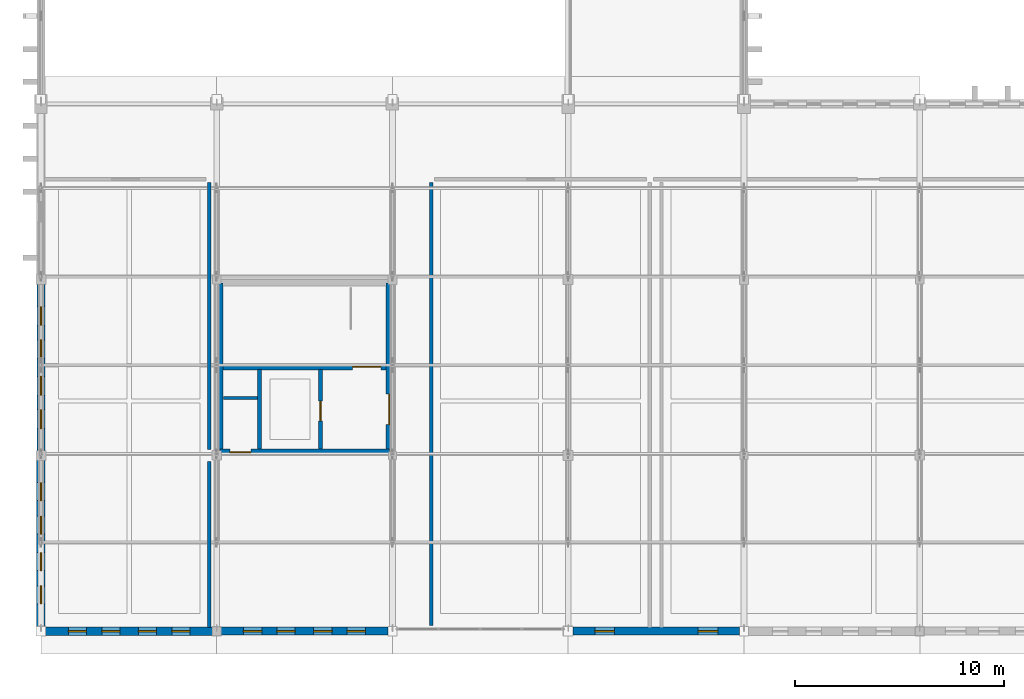
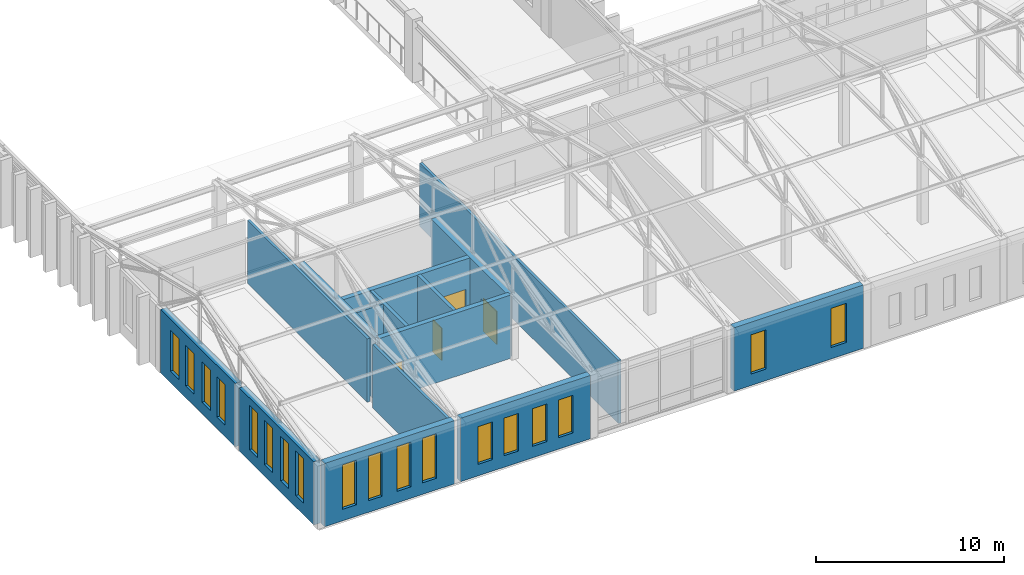
# One storey, part 156 of 192: 18 windows, 15 walls, 4 doors, 22 openings.
"""IFC4 building model written with IfcOpenShell, lengths in metres."""

from ifc_helpers import new_model, si_unit, direction, frame, frame_2d, origin, place, context, subcontext, project, spatial, rectangle, extrude, material, layer, layer_set, type_object, element, fill, save


model = new_model("IFC4")

# Units and contexts
model_context = context("Model", 3, precision=1e-05, world=origin(), true_north=direction((0.0, 1.0)))
body_context = subcontext(model_context, "Body", "Model", "MODEL_VIEW")
ifc_project = project(units=[si_unit("LENGTHUNIT", "METRE"), si_unit("AREAUNIT", "SQUARE_METRE"), si_unit("VOLUMEUNIT", "CUBIC_METRE"), si_unit("PLANEANGLEUNIT", "RADIAN"), si_unit("MASSUNIT", "GRAM", prefix="KILO")], contexts=[model_context])

# Site, building, storey
site_placement = place(None, origin())
site = spatial("IfcSite", under=ifc_project, at=site_placement, CompositionType="ELEMENT")
building_placement = place(site_placement, origin())
building = spatial("IfcBuilding", under=site, at=building_placement, Name="Kveldsbrygga Polytechnic", CompositionType="ELEMENT")
storey_placement = place(building_placement, frame((0.0, 0.0, 5.43994140625)))
storey = spatial("IfcBuildingStorey", under=building, at=storey_placement, Name="L01", CompositionType="ELEMENT", Elevation=5.43994140625)

# Wall, openings, windows
ifc_material_1 = material(Name="Fired clay brick masonry M10", Category="masonry")
ifc_layer_1 = layer(ifc_material_1, 0.3798828125)
ifc_layer_set_1 = layer_set([ifc_layer_1], Name="Fired clay brick masonry M10")
wall_type_1 = type_object("IfcWallType", Name="EW-BRICK-380", PredefinedType="SOLIDWALL", material=ifc_layer_set_1)
wall_1_placement = place(storey_placement, frame((0.0, 8.625, 0.0), z_axis=(0.0, 0.0, 1.0), x_axis=(0.0, 1.0, 0.0)))
wall_1 = element("IfcWall", 1, at=wall_1_placement, inside=storey, type_object=wall_type_1, Name="Exterior Brick Wall EW-L01-Y-00-01", PredefinedType="SOLIDWALL", context=body_context, shape_type="SweptSolid", body=[
    extrude(rectangle(XDim=7.949951171875, YDim=0.3798828125, at=frame_2d((3.97509765625, 0.0))), origin(), (0.0, 0.0, 1.0), 4.1201171875),
])
opening_1_placement = place(wall_1_placement, frame((1.060546875, 0.0, 0.75)))
opening_1 = element("IfcOpeningElement", 2, at=opening_1_placement, cuts=wall_1, Name="Opening W-20", PredefinedType="OPENING", context=body_context, shape_type="SweptSolid", body=[
    extrude(rectangle(XDim=0.89990234375, YDim=2.64990234375, at=frame_2d((0.449951171875, 1.324951171875))), frame((0.0, 0.199951171875, 0.0), z_axis=(0.0, -1.0, 0.0), x_axis=(1.0, 0.0, 0.0)), (0.0, 0.0, 1.0), 0.39990234375),
])
opening_2_placement = place(wall_1_placement, frame((2.650390625, 0.0, 0.75)))
opening_2 = element("IfcOpeningElement", 3, at=opening_2_placement, cuts=wall_1, Name="Opening W-20", PredefinedType="OPENING", context=body_context, shape_type="SweptSolid", body=[
    extrude(rectangle(XDim=0.89990234375, YDim=2.64990234375, at=frame_2d((0.449951171875, 1.324951171875))), frame((0.0, 0.199951171875, 0.0), z_axis=(0.0, -1.0, 0.0), x_axis=(1.0, 0.0, 0.0)), (0.0, 0.0, 1.0), 0.39990234375),
])
opening_3_placement = place(wall_1_placement, frame((4.3994140625, 0.0, 0.75)))
opening_3 = element("IfcOpeningElement", 4, at=opening_3_placement, cuts=wall_1, Name="Opening W-20", PredefinedType="OPENING", context=body_context, shape_type="SweptSolid", body=[
    extrude(rectangle(XDim=0.89990234375, YDim=2.64990234375, at=frame_2d((0.449951171875, 1.324951171875))), frame((0.0, 0.199951171875, 0.0), z_axis=(0.0, -1.0, 0.0), x_axis=(1.0, 0.0, 0.0)), (0.0, 0.0, 1.0), 0.39990234375),
])
opening_4_placement = place(wall_1_placement, frame((5.989501953125, 0.0, 0.75)))
opening_4 = element("IfcOpeningElement", 5, at=opening_4_placement, cuts=wall_1, Name="Opening W-20", PredefinedType="OPENING", context=body_context, shape_type="SweptSolid", body=[
    extrude(rectangle(XDim=0.89990234375, YDim=2.64990234375, at=frame_2d((0.449951171875, 1.324951171875))), frame((0.0, 0.199951171875, 0.0), z_axis=(0.0, -1.0, 0.0), x_axis=(1.0, 0.0, 0.0)), (0.0, 0.0, 1.0), 0.39990234375),
])
ifc_material_2 = material(Name="Insulated triple low-E glass", Category="glass")
window_type_1 = type_object("IfcWindowType", Name="WN-LANC-090x265", PartitioningType="DOUBLE_PANEL_VERTICAL", PredefinedType="WINDOW", material=ifc_material_2)
window_1_placement = place(opening_1_placement, origin())
window_1 = element("IfcWindow", 6, at=window_1_placement, inside=storey, type_object=window_type_1, Name="Gothic Lancet Window WIN-L01-Y-00-01-1", OverallHeight=2.64990234375, OverallWidth=0.89990234375, PartitioningType="DOUBLE_PANEL_VERTICAL", PredefinedType="WINDOW", context=body_context, shape_type="SweptSolid", body=[
    extrude(rectangle(XDim=0.89990234375, YDim=2.64990234375, at=frame_2d((0.449951171875, 1.324951171875))), frame((0.0, 0.030029296875, 0.0), z_axis=(0.0, -1.0, 0.0), x_axis=(1.0, 0.0, 0.0)), (0.0, 0.0, 1.0), 0.06005859375),
])
fill(opening_1, window_1)
window_2_placement = place(opening_2_placement, origin())
window_2 = element("IfcWindow", 7, at=window_2_placement, inside=storey, type_object=window_type_1, Name="Gothic Lancet Window WIN-L01-Y-00-01-2", OverallHeight=2.64990234375, OverallWidth=0.89990234375, PartitioningType="DOUBLE_PANEL_VERTICAL", PredefinedType="WINDOW", context=body_context, shape_type="SweptSolid", body=[
    extrude(rectangle(XDim=0.89990234375, YDim=2.64990234375, at=frame_2d((0.449951171875, 1.324951171875))), frame((0.0, 0.030029296875, 0.0), z_axis=(0.0, -1.0, 0.0), x_axis=(1.0, 0.0, 0.0)), (0.0, 0.0, 1.0), 0.06005859375),
])
fill(opening_2, window_2)
window_3_placement = place(opening_3_placement, origin())
window_3 = element("IfcWindow", 8, at=window_3_placement, inside=storey, type_object=window_type_1, Name="Gothic Lancet Window WIN-L01-Y-00-01-3", OverallHeight=2.64990234375, OverallWidth=0.89990234375, PartitioningType="DOUBLE_PANEL_VERTICAL", PredefinedType="WINDOW", context=body_context, shape_type="SweptSolid", body=[
    extrude(rectangle(XDim=0.89990234375, YDim=2.64990234375, at=frame_2d((0.449951171875, 1.324951171875))), frame((0.0, 0.030029296875, 0.0), z_axis=(0.0, -1.0, 0.0), x_axis=(1.0, 0.0, 0.0)), (0.0, 0.0, 1.0), 0.06005859375),
])
fill(opening_3, window_3)
window_4_placement = place(opening_4_placement, origin())
window_4 = element("IfcWindow", 9, at=window_4_placement, inside=storey, type_object=window_type_1, Name="Gothic Lancet Window WIN-L01-Y-00-01-4", OverallHeight=2.64990234375, OverallWidth=0.89990234375, PartitioningType="DOUBLE_PANEL_VERTICAL", PredefinedType="WINDOW", context=body_context, shape_type="SweptSolid", body=[
    extrude(rectangle(XDim=0.89990234375, YDim=2.64990234375, at=frame_2d((0.449951171875, 1.324951171875))), frame((0.0, 0.030029296875, 0.0), z_axis=(0.0, -1.0, 0.0), x_axis=(1.0, 0.0, 0.0)), (0.0, 0.0, 1.0), 0.06005859375),
])
fill(opening_4, window_4)

wall_2_placement = place(storey_placement, frame((8.594970703125, 0.0, 0.0), z_axis=(0.0, 0.0, 1.0), x_axis=(1.0, 0.0, 0.0)))
wall_2 = element("IfcWall", 10, at=wall_2_placement, inside=storey, type_object=wall_type_1, Name="Exterior Brick Wall EW-L01-X-01-00", PredefinedType="SOLIDWALL", context=body_context, shape_type="SweptSolid", body=[
    extrude(rectangle(XDim=7.9951171875, YDim=0.3798828125, at=frame_2d((3.99755859375, 0.0))), origin(), (0.0, 0.0, 1.0), 4.1201171875),
])
opening_5_placement = place(wall_2_placement, frame((1.0791015625, 0.0, 0.75)))
opening_5 = element("IfcOpeningElement", 11, at=opening_5_placement, cuts=wall_2, Name="Opening W-18", PredefinedType="OPENING", context=body_context, shape_type="SweptSolid", body=[
    extrude(rectangle(XDim=0.8798828125, YDim=2.449951171875, at=frame_2d((0.43994140625, 1.22509765625))), frame((0.0, 0.199951171875, 0.0), z_axis=(0.0, -1.0, 0.0), x_axis=(1.0, 0.0, 0.0)), (0.0, 0.0, 1.0), 0.39990234375),
])
opening_6_placement = place(wall_2_placement, frame((2.677978515625, 0.0, 0.75)))
opening_6 = element("IfcOpeningElement", 12, at=opening_6_placement, cuts=wall_2, Name="Opening W-18", PredefinedType="OPENING", context=body_context, shape_type="SweptSolid", body=[
    extrude(rectangle(XDim=0.8798828125, YDim=2.449951171875, at=frame_2d((0.43994140625, 1.22509765625))), frame((0.0, 0.199951171875, 0.0), z_axis=(0.0, -1.0, 0.0), x_axis=(1.0, 0.0, 0.0)), (0.0, 0.0, 1.0), 0.39990234375),
])
opening_7_placement = place(wall_2_placement, frame((4.43701171875, 0.0, 0.75)))
opening_7 = element("IfcOpeningElement", 13, at=opening_7_placement, cuts=wall_2, Name="Opening W-18", PredefinedType="OPENING", context=body_context, shape_type="SweptSolid", body=[
    extrude(rectangle(XDim=0.8798828125, YDim=2.449951171875, at=frame_2d((0.43994140625, 1.22509765625))), frame((0.0, 0.199951171875, 0.0), z_axis=(0.0, -1.0, 0.0), x_axis=(1.0, 0.0, 0.0)), (0.0, 0.0, 1.0), 0.39990234375),
])
opening_8_placement = place(wall_2_placement, frame((6.035888671875, 0.0, 0.75)))
opening_8 = element("IfcOpeningElement", 14, at=opening_8_placement, cuts=wall_2, Name="Opening W-18", PredefinedType="OPENING", context=body_context, shape_type="SweptSolid", body=[
    extrude(rectangle(XDim=0.8798828125, YDim=2.449951171875, at=frame_2d((0.43994140625, 1.22509765625))), frame((0.0, 0.199951171875, 0.0), z_axis=(0.0, -1.0, 0.0), x_axis=(1.0, 0.0, 0.0)), (0.0, 0.0, 1.0), 0.39990234375),
])
window_type_2 = type_object("IfcWindowType", Name="WN-LANC-088x245", PartitioningType="DOUBLE_PANEL_VERTICAL", PredefinedType="WINDOW", material=ifc_material_2)
window_5_placement = place(opening_5_placement, origin())
window_5 = element("IfcWindow", 15, at=window_5_placement, inside=storey, type_object=window_type_2, Name="Gothic Lancet Window WIN-L01-X-01-00-1", OverallHeight=2.449951171875, OverallWidth=0.8798828125, PartitioningType="DOUBLE_PANEL_VERTICAL", PredefinedType="WINDOW", context=body_context, shape_type="SweptSolid", body=[
    extrude(rectangle(XDim=0.8798828125, YDim=2.449951171875, at=frame_2d((0.43994140625, 1.22509765625))), frame((0.0, 0.030029296875, 0.0), z_axis=(0.0, -1.0, 0.0), x_axis=(1.0, 0.0, 0.0)), (0.0, 0.0, 1.0), 0.06005859375),
])
fill(opening_5, window_5)
window_6_placement = place(opening_6_placement, origin())
window_6 = element("IfcWindow", 16, at=window_6_placement, inside=storey, type_object=window_type_2, Name="Gothic Lancet Window WIN-L01-X-01-00-2", OverallHeight=2.449951171875, OverallWidth=0.8798828125, PartitioningType="DOUBLE_PANEL_VERTICAL", PredefinedType="WINDOW", context=body_context, shape_type="SweptSolid", body=[
    extrude(rectangle(XDim=0.8798828125, YDim=2.449951171875, at=frame_2d((0.43994140625, 1.22509765625))), frame((0.0, 0.030029296875, 0.0), z_axis=(0.0, -1.0, 0.0), x_axis=(1.0, 0.0, 0.0)), (0.0, 0.0, 1.0), 0.06005859375),
])
fill(opening_6, window_6)
window_7_placement = place(opening_7_placement, origin())
window_7 = element("IfcWindow", 17, at=window_7_placement, inside=storey, type_object=window_type_2, Name="Gothic Lancet Window WIN-L01-X-01-00-3", OverallHeight=2.449951171875, OverallWidth=0.8798828125, PartitioningType="DOUBLE_PANEL_VERTICAL", PredefinedType="WINDOW", context=body_context, shape_type="SweptSolid", body=[
    extrude(rectangle(XDim=0.8798828125, YDim=2.449951171875, at=frame_2d((0.43994140625, 1.22509765625))), frame((0.0, 0.030029296875, 0.0), z_axis=(0.0, -1.0, 0.0), x_axis=(1.0, 0.0, 0.0)), (0.0, 0.0, 1.0), 0.06005859375),
])
fill(opening_7, window_7)
window_8_placement = place(opening_8_placement, origin())
window_8 = element("IfcWindow", 18, at=window_8_placement, inside=storey, type_object=window_type_2, Name="Gothic Lancet Window WIN-L01-X-01-00-4", OverallHeight=2.449951171875, OverallWidth=0.8798828125, PartitioningType="DOUBLE_PANEL_VERTICAL", PredefinedType="WINDOW", context=body_context, shape_type="SweptSolid", body=[
    extrude(rectangle(XDim=0.8798828125, YDim=2.449951171875, at=frame_2d((0.43994140625, 1.22509765625))), frame((0.0, 0.030029296875, 0.0), z_axis=(0.0, -1.0, 0.0), x_axis=(1.0, 0.0, 0.0)), (0.0, 0.0, 1.0), 0.06005859375),
])
fill(opening_8, window_8)

wall_3_placement = place(storey_placement, frame((25.425048828125, 0.0, 0.0), z_axis=(0.0, 0.0, 1.0), x_axis=(1.0, 0.0, 0.0)))
wall_3 = element("IfcWall", 19, at=wall_3_placement, inside=storey, type_object=wall_type_1, Name="Exterior Brick Wall EW-L01-X-03-00", PredefinedType="SOLIDWALL", context=body_context, shape_type="SweptSolid", body=[
    extrude(rectangle(XDim=7.96484375, YDim=0.3798828125, at=frame_2d((3.982421875, 0.0))), origin(), (0.0, 0.0, 1.0), 4.1201171875),
])
opening_9_placement = place(wall_3_placement, frame((1.04345703125, 0.0, 0.75)))
opening_9 = element("IfcOpeningElement", 20, at=opening_9_placement, cuts=wall_3, Name="Opening W-24", PredefinedType="OPENING", context=body_context, shape_type="SweptSolid", body=[
    extrude(rectangle(XDim=0.93994140625, YDim=2.550048828125, at=frame_2d((0.469970703125, 1.27490234375))), frame((0.0, 0.199951171875, 0.0), z_axis=(0.0, -1.0, 0.0), x_axis=(1.0, 0.0, 0.0)), (0.0, 0.0, 1.0), 0.39990234375),
])
opening_10_placement = place(wall_3_placement, frame((5.981689453125, 0.0, 0.75)))
opening_10 = element("IfcOpeningElement", 21, at=opening_10_placement, cuts=wall_3, Name="Opening W-24", PredefinedType="OPENING", context=body_context, shape_type="SweptSolid", body=[
    extrude(rectangle(XDim=0.93994140625, YDim=2.550048828125, at=frame_2d((0.469970703125, 1.27490234375))), frame((0.0, 0.199951171875, 0.0), z_axis=(0.0, -1.0, 0.0), x_axis=(1.0, 0.0, 0.0)), (0.0, 0.0, 1.0), 0.39990234375),
])
window_type_3 = type_object("IfcWindowType", Name="WN-LANC-094x255", PartitioningType="DOUBLE_PANEL_VERTICAL", PredefinedType="WINDOW", material=ifc_material_2)
window_9_placement = place(opening_9_placement, origin())
window_9 = element("IfcWindow", 22, at=window_9_placement, inside=storey, type_object=window_type_3, Name="Gothic Lancet Window WIN-L01-X-03-00-1", OverallHeight=2.550048828125, OverallWidth=0.93994140625, PartitioningType="DOUBLE_PANEL_VERTICAL", PredefinedType="WINDOW", context=body_context, shape_type="SweptSolid", body=[
    extrude(rectangle(XDim=0.93994140625, YDim=2.550048828125, at=frame_2d((0.469970703125, 1.27490234375))), frame((0.0, 0.030029296875, 0.0), z_axis=(0.0, -1.0, 0.0), x_axis=(1.0, 0.0, 0.0)), (0.0, 0.0, 1.0), 0.06005859375),
])
fill(opening_9, window_9)
window_10_placement = place(opening_10_placement, origin())
window_10 = element("IfcWindow", 23, at=window_10_placement, inside=storey, type_object=window_type_3, Name="Gothic Lancet Window WIN-L01-X-03-00-4", OverallHeight=2.550048828125, OverallWidth=0.93994140625, PartitioningType="DOUBLE_PANEL_VERTICAL", PredefinedType="WINDOW", context=body_context, shape_type="SweptSolid", body=[
    extrude(rectangle(XDim=0.93994140625, YDim=2.550048828125, at=frame_2d((0.469970703125, 1.27490234375))), frame((0.0, 0.030029296875, 0.0), z_axis=(0.0, -1.0, 0.0), x_axis=(1.0, 0.0, 0.0)), (0.0, 0.0, 1.0), 0.06005859375),
])
fill(opening_10, window_10)

ifc_layer_2 = layer(ifc_material_1, 0.39990234375)
ifc_layer_set_2 = layer_set([ifc_layer_2], Name="Fired clay brick masonry M10")
wall_type_2 = type_object("IfcWallType", Name="EW-BRICK-400", PredefinedType="SOLIDWALL", material=ifc_layer_set_2)
wall_4_placement = place(storey_placement, frame((0.22509765625, 0.0, 0.0), z_axis=(0.0, 0.0, 1.0), x_axis=(1.0, 0.0, 0.0)))
wall_4 = element("IfcWall", 24, at=wall_4_placement, inside=storey, type_object=wall_type_2, Name="Exterior Brick Wall EW-L01-X-00-00", PredefinedType="SOLIDWALL", context=body_context, shape_type="SweptSolid", body=[
    extrude(rectangle(XDim=7.97998046875, YDim=0.39990234375, at=frame_2d((3.989990234375, 0.0))), origin(), (0.0, 0.0, 1.0), 4.1201171875),
])
opening_11_placement = place(wall_4_placement, frame((1.086181640625, 0.0, 0.75)))
opening_11 = element("IfcOpeningElement", 25, at=opening_11_placement, cuts=wall_4, Name="Opening W-15", PredefinedType="OPENING", context=body_context, shape_type="SweptSolid", body=[
    extrude(rectangle(XDim=0.860107421875, YDim=2.89990234375, at=frame_2d((0.43017578125, 1.449951171875))), frame((0.0, 0.2099609375, 0.0), z_axis=(0.0, -1.0, 0.0), x_axis=(1.0, 0.0, 0.0)), (0.0, 0.0, 1.0), 0.419921875),
])
opening_12_placement = place(wall_4_placement, frame((2.68212890625, 0.0, 0.75)))
opening_12 = element("IfcOpeningElement", 26, at=opening_12_placement, cuts=wall_4, Name="Opening W-15", PredefinedType="OPENING", context=body_context, shape_type="SweptSolid", body=[
    extrude(rectangle(XDim=0.860107421875, YDim=2.89990234375, at=frame_2d((0.43017578125, 1.449951171875))), frame((0.0, 0.2099609375, 0.0), z_axis=(0.0, -1.0, 0.0), x_axis=(1.0, 0.0, 0.0)), (0.0, 0.0, 1.0), 0.419921875),
])
opening_13_placement = place(wall_4_placement, frame((4.437744140625, 0.0, 0.75)))
opening_13 = element("IfcOpeningElement", 27, at=opening_13_placement, cuts=wall_4, Name="Opening W-15", PredefinedType="OPENING", context=body_context, shape_type="SweptSolid", body=[
    extrude(rectangle(XDim=0.860107421875, YDim=2.89990234375, at=frame_2d((0.43017578125, 1.449951171875))), frame((0.0, 0.2099609375, 0.0), z_axis=(0.0, -1.0, 0.0), x_axis=(1.0, 0.0, 0.0)), (0.0, 0.0, 1.0), 0.419921875),
])
opening_14_placement = place(wall_4_placement, frame((6.03369140625, 0.0, 0.75)))
opening_14 = element("IfcOpeningElement", 28, at=opening_14_placement, cuts=wall_4, Name="Opening W-15", PredefinedType="OPENING", context=body_context, shape_type="SweptSolid", body=[
    extrude(rectangle(XDim=0.860107421875, YDim=2.89990234375, at=frame_2d((0.43017578125, 1.449951171875))), frame((0.0, 0.2099609375, 0.0), z_axis=(0.0, -1.0, 0.0), x_axis=(1.0, 0.0, 0.0)), (0.0, 0.0, 1.0), 0.419921875),
])
window_type_4 = type_object("IfcWindowType", Name="WN-LANC-086x290", PartitioningType="DOUBLE_PANEL_VERTICAL", PredefinedType="WINDOW", material=ifc_material_2)
window_11_placement = place(opening_11_placement, origin())
window_11 = element("IfcWindow", 29, at=window_11_placement, inside=storey, type_object=window_type_4, Name="Gothic Lancet Window WIN-L01-X-00-00-1", OverallHeight=2.89990234375, OverallWidth=0.860107421875, PartitioningType="DOUBLE_PANEL_VERTICAL", PredefinedType="WINDOW", context=body_context, shape_type="SweptSolid", body=[
    extrude(rectangle(XDim=0.860107421875, YDim=2.89990234375, at=frame_2d((0.43017578125, 1.449951171875))), frame((0.0, 0.030029296875, 0.0), z_axis=(0.0, -1.0, 0.0), x_axis=(1.0, 0.0, 0.0)), (0.0, 0.0, 1.0), 0.06005859375),
])
fill(opening_11, window_11)
window_12_placement = place(opening_12_placement, origin())
window_12 = element("IfcWindow", 30, at=window_12_placement, inside=storey, type_object=window_type_4, Name="Gothic Lancet Window WIN-L01-X-00-00-2", OverallHeight=2.89990234375, OverallWidth=0.860107421875, PartitioningType="DOUBLE_PANEL_VERTICAL", PredefinedType="WINDOW", context=body_context, shape_type="SweptSolid", body=[
    extrude(rectangle(XDim=0.860107421875, YDim=2.89990234375, at=frame_2d((0.43017578125, 1.449951171875))), frame((0.0, 0.030029296875, 0.0), z_axis=(0.0, -1.0, 0.0), x_axis=(1.0, 0.0, 0.0)), (0.0, 0.0, 1.0), 0.06005859375),
])
fill(opening_12, window_12)
window_13_placement = place(opening_13_placement, origin())
window_13 = element("IfcWindow", 31, at=window_13_placement, inside=storey, type_object=window_type_4, Name="Gothic Lancet Window WIN-L01-X-00-00-3", OverallHeight=2.89990234375, OverallWidth=0.860107421875, PartitioningType="DOUBLE_PANEL_VERTICAL", PredefinedType="WINDOW", context=body_context, shape_type="SweptSolid", body=[
    extrude(rectangle(XDim=0.860107421875, YDim=2.89990234375, at=frame_2d((0.43017578125, 1.449951171875))), frame((0.0, 0.030029296875, 0.0), z_axis=(0.0, -1.0, 0.0), x_axis=(1.0, 0.0, 0.0)), (0.0, 0.0, 1.0), 0.06005859375),
])
fill(opening_13, window_13)
window_14_placement = place(opening_14_placement, origin())
window_14 = element("IfcWindow", 32, at=window_14_placement, inside=storey, type_object=window_type_4, Name="Gothic Lancet Window WIN-L01-X-00-00-4", OverallHeight=2.89990234375, OverallWidth=0.860107421875, PartitioningType="DOUBLE_PANEL_VERTICAL", PredefinedType="WINDOW", context=body_context, shape_type="SweptSolid", body=[
    extrude(rectangle(XDim=0.860107421875, YDim=2.89990234375, at=frame_2d((0.43017578125, 1.449951171875))), frame((0.0, 0.030029296875, 0.0), z_axis=(0.0, -1.0, 0.0), x_axis=(1.0, 0.0, 0.0)), (0.0, 0.0, 1.0), 0.06005859375),
])
fill(opening_14, window_14)

wall_5_placement = place(storey_placement, frame((0.0, 0.22509765625, 0.0), z_axis=(0.0, 0.0, 1.0), x_axis=(0.0, 1.0, 0.0)))
wall_5 = element("IfcWall", 33, at=wall_5_placement, inside=storey, type_object=wall_type_2, Name="Exterior Brick Wall EW-L01-Y-00-00", PredefinedType="SOLIDWALL", context=body_context, shape_type="SweptSolid", body=[
    extrude(rectangle(XDim=7.949951171875, YDim=0.39990234375, at=frame_2d((3.97509765625, 0.0))), origin(), (0.0, 0.0, 1.0), 4.1201171875),
])
opening_15_placement = place(wall_5_placement, frame((1.08056640625, 0.0, 0.75)))
opening_15 = element("IfcOpeningElement", 34, at=opening_15_placement, cuts=wall_5, Name="Opening W-15", PredefinedType="OPENING", context=body_context, shape_type="SweptSolid", body=[
    extrude(rectangle(XDim=0.860107421875, YDim=2.89990234375, at=frame_2d((0.43017578125, 1.449951171875))), frame((0.0, 0.2099609375, 0.0), z_axis=(0.0, -1.0, 0.0), x_axis=(1.0, 0.0, 0.0)), (0.0, 0.0, 1.0), 0.419921875),
])
opening_16_placement = place(wall_5_placement, frame((2.67041015625, 0.0, 0.75)))
opening_16 = element("IfcOpeningElement", 35, at=opening_16_placement, cuts=wall_5, Name="Opening W-15", PredefinedType="OPENING", context=body_context, shape_type="SweptSolid", body=[
    extrude(rectangle(XDim=0.860107421875, YDim=2.89990234375, at=frame_2d((0.43017578125, 1.449951171875))), frame((0.0, 0.2099609375, 0.0), z_axis=(0.0, -1.0, 0.0), x_axis=(1.0, 0.0, 0.0)), (0.0, 0.0, 1.0), 0.419921875),
])
opening_17_placement = place(wall_5_placement, frame((4.41943359375, 0.0, 0.75)))
opening_17 = element("IfcOpeningElement", 36, at=opening_17_placement, cuts=wall_5, Name="Opening W-15", PredefinedType="OPENING", context=body_context, shape_type="SweptSolid", body=[
    extrude(rectangle(XDim=0.860107421875, YDim=2.89990234375, at=frame_2d((0.43017578125, 1.449951171875))), frame((0.0, 0.2099609375, 0.0), z_axis=(0.0, -1.0, 0.0), x_axis=(1.0, 0.0, 0.0)), (0.0, 0.0, 1.0), 0.419921875),
])
opening_18_placement = place(wall_5_placement, frame((6.009521484375, 0.0, 0.75)))
opening_18 = element("IfcOpeningElement", 37, at=opening_18_placement, cuts=wall_5, Name="Opening W-15", PredefinedType="OPENING", context=body_context, shape_type="SweptSolid", body=[
    extrude(rectangle(XDim=0.860107421875, YDim=2.89990234375, at=frame_2d((0.43017578125, 1.449951171875))), frame((0.0, 0.2099609375, 0.0), z_axis=(0.0, -1.0, 0.0), x_axis=(1.0, 0.0, 0.0)), (0.0, 0.0, 1.0), 0.419921875),
])
window_15_placement = place(opening_15_placement, origin())
window_15 = element("IfcWindow", 38, at=window_15_placement, inside=storey, type_object=window_type_4, Name="Gothic Lancet Window WIN-L01-Y-00-00-1", OverallHeight=2.89990234375, OverallWidth=0.860107421875, PartitioningType="DOUBLE_PANEL_VERTICAL", PredefinedType="WINDOW", context=body_context, shape_type="SweptSolid", body=[
    extrude(rectangle(XDim=0.860107421875, YDim=2.89990234375, at=frame_2d((0.43017578125, 1.449951171875))), frame((0.0, 0.030029296875, 0.0), z_axis=(0.0, -1.0, 0.0), x_axis=(1.0, 0.0, 0.0)), (0.0, 0.0, 1.0), 0.06005859375),
])
fill(opening_15, window_15)
window_16_placement = place(opening_16_placement, origin())
window_16 = element("IfcWindow", 39, at=window_16_placement, inside=storey, type_object=window_type_4, Name="Gothic Lancet Window WIN-L01-Y-00-00-2", OverallHeight=2.89990234375, OverallWidth=0.860107421875, PartitioningType="DOUBLE_PANEL_VERTICAL", PredefinedType="WINDOW", context=body_context, shape_type="SweptSolid", body=[
    extrude(rectangle(XDim=0.860107421875, YDim=2.89990234375, at=frame_2d((0.43017578125, 1.449951171875))), frame((0.0, 0.030029296875, 0.0), z_axis=(0.0, -1.0, 0.0), x_axis=(1.0, 0.0, 0.0)), (0.0, 0.0, 1.0), 0.06005859375),
])
fill(opening_16, window_16)
window_17_placement = place(opening_17_placement, origin())
window_17 = element("IfcWindow", 40, at=window_17_placement, inside=storey, type_object=window_type_4, Name="Gothic Lancet Window WIN-L01-Y-00-00-3", OverallHeight=2.89990234375, OverallWidth=0.860107421875, PartitioningType="DOUBLE_PANEL_VERTICAL", PredefinedType="WINDOW", context=body_context, shape_type="SweptSolid", body=[
    extrude(rectangle(XDim=0.860107421875, YDim=2.89990234375, at=frame_2d((0.43017578125, 1.449951171875))), frame((0.0, 0.030029296875, 0.0), z_axis=(0.0, -1.0, 0.0), x_axis=(1.0, 0.0, 0.0)), (0.0, 0.0, 1.0), 0.06005859375),
])
fill(opening_17, window_17)
window_18_placement = place(opening_18_placement, origin())
window_18 = element("IfcWindow", 41, at=window_18_placement, inside=storey, type_object=window_type_4, Name="Gothic Lancet Window WIN-L01-Y-00-00-4", OverallHeight=2.89990234375, OverallWidth=0.860107421875, PartitioningType="DOUBLE_PANEL_VERTICAL", PredefinedType="WINDOW", context=body_context, shape_type="SweptSolid", body=[
    extrude(rectangle(XDim=0.860107421875, YDim=2.89990234375, at=frame_2d((0.43017578125, 1.449951171875))), frame((0.0, 0.030029296875, 0.0), z_axis=(0.0, -1.0, 0.0), x_axis=(1.0, 0.0, 0.0)), (0.0, 0.0, 1.0), 0.06005859375),
])
fill(opening_18, window_18)

# Walls
ifc_material_3 = material(Name="Moisture-resistant masonry M10", Category="masonry")
ifc_layer_3 = layer(ifc_material_3, 0.1298828125)
ifc_layer_set_3 = layer_set([ifc_layer_3], Name="Moisture-resistant masonry M10")
wall_type_3 = type_object("IfcWallType", Name="IW-SAN-130", PredefinedType="PARTITIONING", material=ifc_layer_set_3)
wall_6_placement = place(storey_placement, frame((8.719970703125, 11.139892578125, 0.0), z_axis=(0.0, 0.0, 1.0), x_axis=(1.0, 0.0, 0.0)))
element("IfcWall", 42, at=wall_6_placement, inside=storey, type_object=wall_type_3, Name="Core AWC Divider C9-L01-W-RSR", PredefinedType="PARTITIONING", context=body_context, shape_type="SweptSolid", body=[
    extrude(rectangle(XDim=1.6201171875, YDim=0.1298828125, at=frame_2d((0.81005859375, 0.0))), origin(), (0.0, 0.0, 1.0), 4.1201171875),
])
ifc_material_4 = material(Name="Gypsum acoustic stud partition")
ifc_layer_4 = layer(ifc_material_4, 0.159912109375)
ifc_layer_set_4 = layer_set([ifc_layer_4], Name="Gypsum acoustic stud partition")
wall_type_4 = type_object("IfcWallType", Name="IW-STD-160", PredefinedType="PARTITIONING", material=ifc_layer_set_4)
wall_7_placement = place(storey_placement, frame((8.050048828125, 0.179931640625, 0.0), z_axis=(0.0, 0.0, 1.0), x_axis=(0.0, 1.0, 0.0)))
element("IfcWall", 43, at=wall_7_placement, inside=storey, type_object=wall_type_4, Name="Partition Wall IW-SP-L01-SWSTD1W-E1", PredefinedType="PARTITIONING", context=body_context, shape_type="SweptSolid", body=[
    extrude(rectangle(XDim=7.93505859375, YDim=0.159912109375, at=frame_2d((3.967529296875, 0.0))), origin(), (0.0, 0.0, 1.0), 4.1201171875),
])
wall_8_placement = place(storey_placement, frame((8.050048828125, 8.68505859375, 0.0), z_axis=(0.0, 0.0, 1.0), x_axis=(0.0, 1.0, 0.0)))
element("IfcWall", 44, at=wall_8_placement, inside=storey, type_object=wall_type_4, Name="Partition Wall IW-SP-L01-SWSTD1W-E2", PredefinedType="PARTITIONING", context=body_context, shape_type="SweptSolid", body=[
    extrude(rectangle(XDim=12.764892578125, YDim=0.159912109375, at=frame_2d((6.38232421875, 0.0))), origin(), (0.0, 0.0, 1.0), 4.1201171875),
])
wall_9_placement = place(storey_placement, frame((18.64990234375, 0.280029296875, 0.0), z_axis=(0.0, 0.0, 1.0), x_axis=(0.0, 1.0, 0.0)))
element("IfcWall", 45, at=wall_9_placement, inside=storey, type_object=wall_type_4, Name="Partition Wall IW-SP-L01-SWSTD1-W1", PredefinedType="PARTITIONING", context=body_context, shape_type="SweptSolid", body=[
    extrude(rectangle(XDim=21.169921875, YDim=0.159912109375, at=frame_2d((10.5849609375, 0.0))), origin(), (0.0, 0.0, 1.0), 4.1201171875),
])

# Wall, opening, door
ifc_material_5 = material(Name="Concrete C45/55", Category="concrete")
ifc_layer_5 = layer(ifc_material_5, 0.300048828125)
ifc_layer_set_5 = layer_set([ifc_layer_5], Name="Concrete C45/55")
wall_type_5 = type_object("IfcWallType", Name="WL-CORE-300", PredefinedType="SHEAR", material=ifc_layer_set_5)
wall_10_placement = place(storey_placement, frame((8.550048828125, 8.550048828125, 0.0), z_axis=(0.0, 0.0, 1.0), x_axis=(1.0, 0.0, 0.0)))
wall_10 = element("IfcWall", 46, at=wall_10_placement, inside=storey, type_object=wall_type_5, Name="Core C9 Shear Wall C9-L01-SW-S", PredefinedType="SHEAR", context=body_context, shape_type="SweptSolid", body=[
    extrude(rectangle(XDim=8.099853515625, YDim=0.300048828125, at=frame_2d((4.0498046875, 0.0))), origin(), (0.0, 0.0, 1.0), 4.1201171875),
])
opening_19_placement = place(wall_10_placement, frame((0.485107421875, 0.0, 0.0)))
opening_19 = element("IfcOpeningElement", 47, at=opening_19_placement, cuts=wall_10, Name="Opening ID-C9-L01-AWC", PredefinedType="OPENING", context=body_context, shape_type="SweptSolid", body=[
    extrude(rectangle(XDim=1.0, YDim=2.14990234375, at=frame_2d((0.5, 1.074951171875))), frame((0.0, 0.16015625, 0.0), z_axis=(0.0, -1.0, 0.0), x_axis=(1.0, 0.0, 0.0)), (0.0, 0.0, 1.0), 0.320068359375),
])
ifc_material_6 = material(Name="Acoustic oak timber", Category="wood")
door_type_1 = type_object("IfcDoorType", Name="ID-AWC-100x215", OperationType="NOTDEFINED", PredefinedType="DOOR", material=ifc_material_6)
door_1_placement = place(opening_19_placement, origin())
door_1 = element("IfcDoor", 48, at=door_1_placement, inside=storey, type_object=door_type_1, Name="Accessible WC Door ID-C9-L01-AWC", OperationType="SINGLE_SWING_LEFT", OverallHeight=2.14990234375, OverallWidth=1.0, PredefinedType="DOOR", context=body_context, shape_type="SweptSolid", body=[
    extrude(rectangle(XDim=1.0, YDim=2.14990234375, at=frame_2d((0.5, 1.074951171875))), frame((0.0, 0.02490234375, 0.0), z_axis=(0.0, -1.0, 0.0), x_axis=(1.0, 0.0, 0.0)), (0.0, 0.0, 1.0), 0.050048828125),
])
fill(opening_19, door_1)

# Wall
wall_11_placement = place(storey_placement, frame((8.550048828125, 8.550048828125, 0.0), z_axis=(0.0, 0.0, 1.0), x_axis=(0.0, 1.0, 0.0)))
element("IfcWall", 49, at=wall_11_placement, inside=storey, type_object=wall_type_5, Name="Core C9 Shear Wall C9-L01-SW-W", PredefinedType="SHEAR", context=body_context, shape_type="SweptSolid", body=[
    extrude(rectangle(XDim=8.099853515625, YDim=0.300048828125, at=frame_2d((4.0498046875, 0.0))), origin(), (0.0, 0.0, 1.0), 4.1201171875),
])

# Wall, opening, door
wall_12_placement = place(storey_placement, frame((16.64990234375, 8.550048828125, 0.0), z_axis=(0.0, 0.0, 1.0), x_axis=(0.0, 1.0, 0.0)))
wall_12 = element("IfcWall", 50, at=wall_12_placement, inside=storey, type_object=wall_type_5, Name="Core C9 Shear Wall C9-L01-SW-E", PredefinedType="SHEAR", context=body_context, shape_type="SweptSolid", body=[
    extrude(rectangle(XDim=8.099853515625, YDim=0.300048828125, at=frame_2d((4.0498046875, 0.0))), origin(), (0.0, 0.0, 1.0), 4.1201171875),
])
opening_20_placement = place(wall_12_placement, frame((1.324951171875, 0.0, 0.0)))
opening_20 = element("IfcOpeningElement", 51, at=opening_20_placement, cuts=wall_12, Name="Opening FD-C9-L01-LOB", PredefinedType="OPENING", context=body_context, shape_type="SweptSolid", body=[
    extrude(rectangle(XDim=1.449951171875, YDim=2.14990234375, at=frame_2d((0.72509765625, 1.074951171875))), frame((0.0, 0.16015625, 0.0), z_axis=(0.0, -1.0, 0.0), x_axis=(1.0, 0.0, 0.0)), (0.0, 0.0, 1.0), 0.320068359375),
])
ifc_material_7 = material(Name="Powder-coated galvanised steel", Category="steel")
door_type_2 = type_object("IfcDoorType", Name="ID-LOBBY-145x215", OperationType="DOUBLE_DOOR_SINGLE_SWING", PredefinedType="DOOR", material=ifc_material_7)
door_2_placement = place(opening_20_placement, origin())
door_2 = element("IfcDoor", 52, at=door_2_placement, inside=storey, type_object=door_type_2, Name="Core Lobby Fire Door FD-C9-L01-LOB", OperationType="DOUBLE_DOOR_SINGLE_SWING", OverallHeight=2.14990234375, OverallWidth=1.449951171875, PredefinedType="DOOR", context=body_context, shape_type="SweptSolid", body=[
    extrude(rectangle(XDim=1.449951171875, YDim=2.14990234375, at=frame_2d((0.72509765625, 1.074951171875))), frame((0.0, 0.02490234375, 0.0), z_axis=(0.0, -1.0, 0.0), x_axis=(1.0, 0.0, 0.0)), (0.0, 0.0, 1.0), 0.050048828125),
])
fill(opening_20, door_2)

wall_13_placement = place(storey_placement, frame((8.699951171875, 12.6298828125, 0.0), z_axis=(0.0, 0.0, 1.0), x_axis=(1.0, 0.0, 0.0)))
wall_13 = element("IfcWall", 53, at=wall_13_placement, inside=storey, type_object=wall_type_5, Name="Core C9 Shear Wall C9-L01-W-DIV", PredefinedType="SHEAR", context=body_context, shape_type="SweptSolid", body=[
    extrude(rectangle(XDim=7.800048828125, YDim=0.300048828125, at=frame_2d((3.89990234375, 0.0))), origin(), (0.0, 0.0, 1.0), 4.1201171875),
])
opening_21_placement = place(wall_13_placement, frame((6.199951171875, 0.0, 0.0)))
opening_21 = element("IfcOpeningElement", 54, at=opening_21_placement, cuts=wall_13, Name="Opening FD-C9-L01-ST", PredefinedType="OPENING", context=body_context, shape_type="SweptSolid", body=[
    extrude(rectangle(XDim=1.35009765625, YDim=2.14990234375, at=frame_2d((0.675048828125, 1.074951171875))), frame((0.0, 0.16015625, 0.0), z_axis=(0.0, -1.0, 0.0), x_axis=(1.0, 0.0, 0.0)), (0.0, 0.0, 1.0), 0.320068359375),
])
door_type_3 = type_object("IfcDoorType", Name="ID-STAIR-135x215", OperationType="NOTDEFINED", PredefinedType="DOOR", material=ifc_material_7)
door_3_placement = place(opening_21_placement, origin())
door_3 = element("IfcDoor", 55, at=door_3_placement, inside=storey, type_object=door_type_3, Name="Stair Fire Door FD-C9-L01-ST", OperationType="SINGLE_SWING_LEFT", OverallHeight=2.14990234375, OverallWidth=1.35009765625, PredefinedType="DOOR", context=body_context, shape_type="SweptSolid", body=[
    extrude(rectangle(XDim=1.35009765625, YDim=2.14990234375, at=frame_2d((0.675048828125, 1.074951171875))), frame((0.0, 0.02490234375, 0.0), z_axis=(0.0, -1.0, 0.0), x_axis=(1.0, 0.0, 0.0)), (0.0, 0.0, 1.0), 0.050048828125),
])
fill(opening_21, door_3)

ifc_material_8 = material(Name="Concrete C35/45", Category="concrete")
ifc_layer_6 = layer(ifc_material_8, 0.199951171875)
ifc_layer_set_6 = layer_set([ifc_layer_6], Name="Concrete C35/45")
wall_type_6 = type_object("IfcWallType", Name="WL-SHFT-200", PredefinedType="SHEAR", material=ifc_layer_set_6)
wall_14_placement = place(storey_placement, frame((13.360107421875, 8.699951171875, 0.0), z_axis=(0.0, 0.0, 1.0), x_axis=(0.0, 1.0, 0.0)))
wall_14 = element("IfcWall", 56, at=wall_14_placement, inside=storey, type_object=wall_type_6, Name="Lift Front Wall C9-L01-W-LFR", PredefinedType="SHEAR", context=body_context, shape_type="SweptSolid", body=[
    extrude(rectangle(XDim=3.800048828125, YDim=0.199951171875, at=frame_2d((1.89990234375, 0.0))), origin(), (0.0, 0.0, 1.0), 4.1201171875),
])
opening_22_placement = place(wall_14_placement, frame((1.35009765625, 0.0, 0.0)))
opening_22 = element("IfcOpeningElement", 57, at=opening_22_placement, cuts=wall_14, Name="Opening ID-C9-L01-STR", PredefinedType="OPENING", context=body_context, shape_type="SweptSolid", body=[
    extrude(rectangle(XDim=0.949951171875, YDim=2.10009765625, at=frame_2d((0.47509765625, 1.050048828125))), frame((0.0, 0.10986328125, 0.0), z_axis=(0.0, -1.0, 0.0), x_axis=(1.0, 0.0, 0.0)), (0.0, 0.0, 1.0), 0.219970703125),
])
door_type_4 = type_object("IfcDoorType", Name="ID-OFF-095x210", OperationType="NOTDEFINED", PredefinedType="DOOR", material=ifc_material_6)
door_4_placement = place(opening_22_placement, origin())
door_4 = element("IfcDoor", 58, at=door_4_placement, inside=storey, type_object=door_type_4, Name="Cleaner Store Door ID-C9-L01-STR", OperationType="SINGLE_SWING_RIGHT", OverallHeight=2.10009765625, OverallWidth=0.949951171875, PredefinedType="DOOR", context=body_context, shape_type="SweptSolid", body=[
    extrude(rectangle(XDim=0.949951171875, YDim=2.10009765625, at=frame_2d((0.47509765625, 1.050048828125))), frame((0.0, 0.02490234375, 0.0), z_axis=(0.0, -1.0, 0.0), x_axis=(1.0, 0.0, 0.0)), (0.0, 0.0, 1.0), 0.050048828125),
])
fill(opening_22, door_4)

# Wall
wall_15_placement = place(storey_placement, frame((10.43994140625, 8.699951171875, 0.0), z_axis=(0.0, 0.0, 1.0), x_axis=(0.0, 1.0, 0.0)))
element("IfcWall", 59, at=wall_15_placement, inside=storey, type_object=wall_type_6, Name="Lift Back Wall C9-L01-W-LBK", PredefinedType="SHEAR", context=body_context, shape_type="SweptSolid", body=[
    extrude(rectangle(XDim=3.800048828125, YDim=0.199951171875, at=frame_2d((1.89990234375, 0.0))), origin(), (0.0, 0.0, 1.0), 4.1201171875),
])

save(model, "model.ifc")
